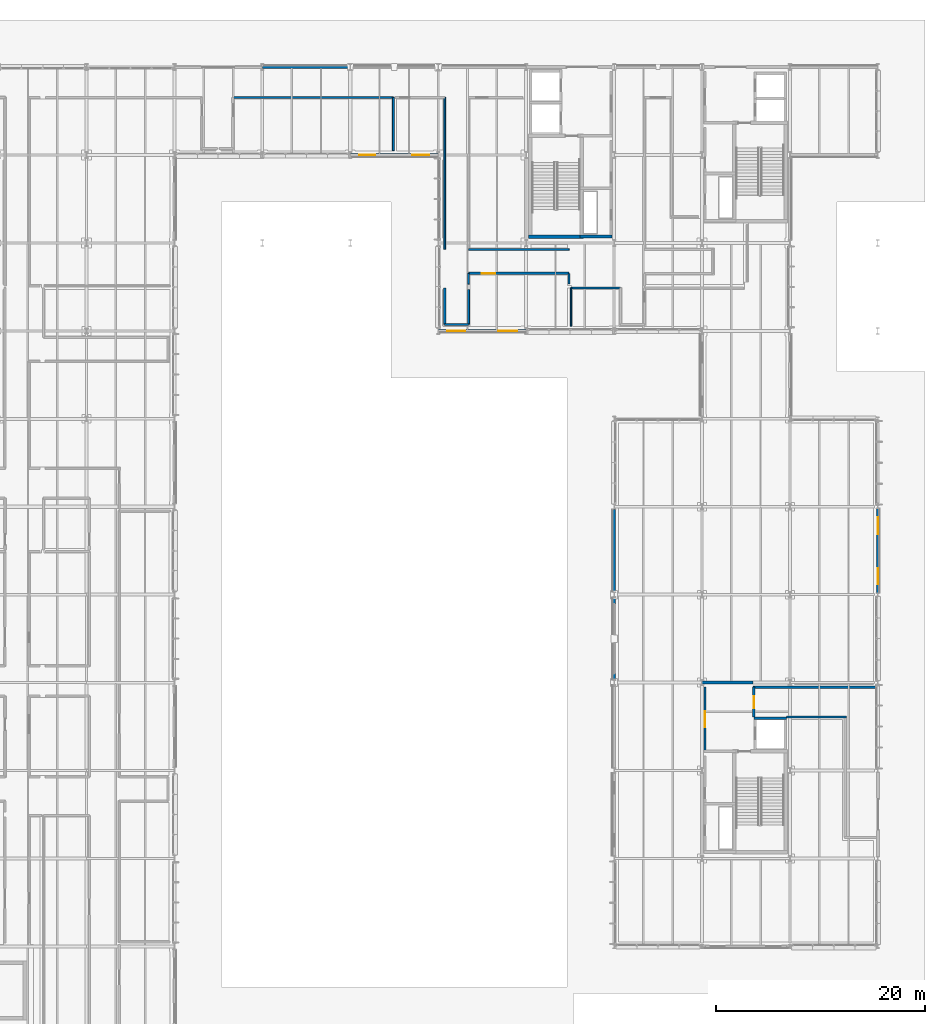
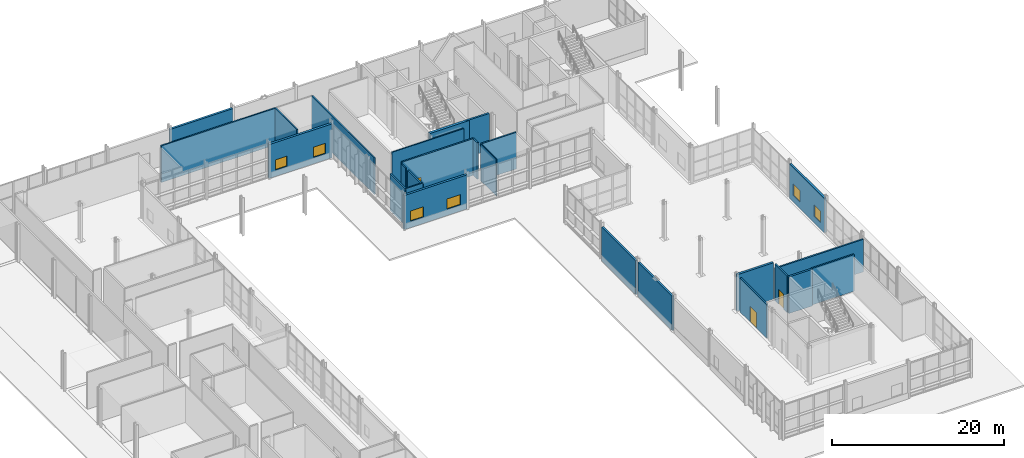
# One storey, part 93 of 124: 26 walls, 6 windows, 3 doors, 9 openings.
"""IFC4 building model written with IfcOpenShell, lengths in metres."""

from ifc_helpers import new_model, si_unit, direction, frame, frame_2d, origin, place, context, subcontext, project, spatial, rectangle, extrude, material, layer, layer_set, type_object, element, fill, save


model = new_model("IFC4")

# Units and contexts
model_context = context("Model", 3, precision=1e-05, world=origin(), true_north=direction((0.0, 1.0)))
body_context = subcontext(model_context, "Body", "Model", "MODEL_VIEW")
ifc_project = project(units=[si_unit("LENGTHUNIT", "METRE"), si_unit("AREAUNIT", "SQUARE_METRE"), si_unit("VOLUMEUNIT", "CUBIC_METRE"), si_unit("PLANEANGLEUNIT", "RADIAN"), si_unit("MASSUNIT", "GRAM", prefix="KILO")], contexts=[model_context])

# Site, building, storey
site_placement = place(None, origin())
site = spatial("IfcSite", under=ifc_project, at=site_placement, CompositionType="ELEMENT")
building_placement = place(site_placement, origin())
building = spatial("IfcBuilding", under=site, at=building_placement, Name="Mersafa Astral City Hall", CompositionType="ELEMENT")
storey_placement = place(building_placement, origin())
storey = spatial("IfcBuildingStorey", under=building, at=storey_placement, Name="L00", CompositionType="ELEMENT", Elevation=0.0)

# Walls
ifc_material_1 = material(Name="Precast concrete C40/50 insulated terracotta spandrel", Category="masonry")
ifc_layer_1 = layer(ifc_material_1, 0.25, Name="Precast concrete C40/50 insulated terracotta spandrel")
ifc_layer_set_1 = layer_set([ifc_layer_1], Name="Precast concrete C40/50 insulated terracotta spandrel — ENV-WAL-EXT-250")
wall_type_1 = type_object("IfcWallType", Name="ENV-WAL-EXT-250", PredefinedType="STANDARD", material=ifc_layer_set_1)
wall_1_placement = place(storey_placement, frame((159.60009765625, 75.35400390625, 0.0), z_axis=(0.0, 0.0, 1.0), x_axis=(0.0, -1.0, 0.0)))
element("IfcWall", 1, at=wall_1_placement, inside=storey, type_object=wall_type_1, Name="L00 Limestone-clad exterior wall 28", PredefinedType="STANDARD", context=body_context, shape_type="SweptSolid", body=[
    extrude(rectangle(XDim=7.907958984375, YDim=0.25, at=frame_2d((3.9541015625, 0.0))), origin(), (0.0, 0.0, 1.0), 4.886962890625),
])
ifc_material_2 = material(Name="Precast concrete C40/50 insulated limestone wall", Category="masonry")
ifc_layer_2 = layer(ifc_material_2, 0.264892578125, Name="Precast concrete C40/50 insulated limestone wall")
ifc_layer_set_2 = layer_set([ifc_layer_2], Name="Precast concrete C40/50 insulated limestone wall — ENV-WAL-EXT-265")
wall_type_2 = type_object("IfcWallType", Name="ENV-WAL-EXT-265", PredefinedType="STANDARD", material=ifc_layer_set_2)
wall_2_placement = place(storey_placement, frame((159.60009765625, 83.75390625, 0.0), z_axis=(0.0, 0.0, 1.0), x_axis=(0.0, -1.0, 0.0)))
element("IfcWall", 2, at=wall_2_placement, inside=storey, type_object=wall_type_2, Name="L00 Limestone-clad exterior wall 27", PredefinedType="STANDARD", context=body_context, shape_type="SweptSolid", body=[
    extrude(rectangle(XDim=7.907958984375, YDim=0.264892578125, at=frame_2d((3.9541015625, 0.0))), origin(), (0.0, 0.0, 1.0), 4.797119140625),
])

# Wall, openings, windows
wall_3_placement = place(storey_placement, frame((184.800048828125, 75.76611328125, 0.0), z_axis=(0.0, 0.0, 1.0), x_axis=(0.0, 1.0, 0.0)))
wall_3 = element("IfcWall", 3, at=wall_3_placement, inside=storey, type_object=wall_type_2, Name="L00 Limestone-clad exterior wall 33", PredefinedType="STANDARD", context=body_context, shape_type="SweptSolid", body=[
    extrude(rectangle(XDim=8.057861328125, YDim=0.264892578125, at=frame_2d((4.02880859375, 0.0))), origin(), (0.0, 0.0, 1.0), 4.886962890625),
])
opening_1_placement = place(wall_3_placement, frame((0.85009765625, 0.0, 0.89990234375)))
opening_1 = element("IfcOpeningElement", 4, at=opening_1_placement, cuts=wall_3, Name="Opening W-36", PredefinedType="OPENING", context=body_context, shape_type="SweptSolid", body=[
    extrude(rectangle(XDim=1.52001953125, YDim=1.64990234375, at=frame_2d((0.760009765625, 0.824951171875))), frame((0.0, 0.142333984375, 0.0), z_axis=(0.0, -1.0, 0.0), x_axis=(1.0, 0.0, 0.0)), (0.0, 0.0, 1.0), 0.284912109375),
])
opening_2_placement = place(wall_3_placement, frame((5.587890625, 0.0, 0.89990234375)))
opening_2 = element("IfcOpeningElement", 5, at=opening_2_placement, cuts=wall_3, Name="Opening W-37", PredefinedType="OPENING", context=body_context, shape_type="SweptSolid", body=[
    extrude(rectangle(XDim=1.6201171875, YDim=1.64990234375, at=frame_2d((0.81005859375, 0.824951171875))), frame((0.0, 0.142333984375, 0.0), z_axis=(0.0, -1.0, 0.0), x_axis=(1.0, 0.0, 0.0)), (0.0, 0.0, 1.0), 0.284912109375),
])
ifc_material_3 = material(Name="Solar control low-e double glazing in bronze frame", Category="glass")
window_type_1 = type_object("IfcWindowType", Name="ENV-WIN-W-36", PartitioningType="SINGLE_PANEL", PredefinedType="WINDOW", material=ifc_material_3)
window_1_placement = place(opening_1_placement, origin())
window_1 = element("IfcWindow", 6, at=window_1_placement, inside=storey, type_object=window_type_1, Name="L00 Solar punched window 33-L", OverallHeight=1.64990234375, OverallWidth=1.52001953125, PartitioningType="SINGLE_PANEL", PredefinedType="WINDOW", context=body_context, shape_type="SweptSolid", body=[
    extrude(rectangle(XDim=1.52001953125, YDim=1.64990234375, at=frame_2d((0.760009765625, 0.824951171875))), frame((0.0, 0.030029296875, 0.0), z_axis=(0.0, -1.0, 0.0), x_axis=(1.0, 0.0, 0.0)), (0.0, 0.0, 1.0), 0.06005859375),
])
fill(opening_1, window_1)
window_type_2 = type_object("IfcWindowType", Name="ENV-WIN-W-37", PartitioningType="SINGLE_PANEL", PredefinedType="WINDOW", material=ifc_material_3)
window_2_placement = place(opening_2_placement, origin())
window_2 = element("IfcWindow", 7, at=window_2_placement, inside=storey, type_object=window_type_2, Name="L00 Solar punched window 33-R", OverallHeight=1.64990234375, OverallWidth=1.6201171875, PartitioningType="SINGLE_PANEL", PredefinedType="WINDOW", context=body_context, shape_type="SweptSolid", body=[
    extrude(rectangle(XDim=1.6201171875, YDim=1.64990234375, at=frame_2d((0.81005859375, 0.824951171875))), frame((0.0, 0.030029296875, 0.0), z_axis=(0.0, -1.0, 0.0), x_axis=(1.0, 0.0, 0.0)), (0.0, 0.0, 1.0), 0.06005859375),
])
fill(opening_2, window_2)

ifc_layer_3 = layer(ifc_material_2, 0.294921875, Name="Precast concrete C40/50 insulated limestone wall")
ifc_layer_set_3 = layer_set([ifc_layer_3], Name="Precast concrete C40/50 insulated limestone wall — ENV-WAL-EXT-295")
wall_type_3 = type_object("IfcWallType", Name="ENV-WAL-EXT-295", PredefinedType="STANDARD", material=ifc_layer_set_3)
wall_4_placement = place(storey_placement, frame((142.80810546875, 100.800048828125, 0.0), z_axis=(0.0, 0.0, 1.0), x_axis=(1.0, 0.0, 0.0)))
wall_4 = element("IfcWall", 8, at=wall_4_placement, inside=storey, type_object=wall_type_3, Name="L00 Limestone-clad exterior wall 25", PredefinedType="STANDARD", context=body_context, shape_type="SweptSolid", body=[
    extrude(rectangle(XDim=8.3837890625, YDim=0.294921875, at=frame_2d((4.19189453125, 0.0))), origin(), (0.0, 0.0, 1.0), 4.826904296875),
])
opening_3_placement = place(wall_4_placement, frame((0.85009765625, 0.0, 0.89990234375)))
opening_3 = element("IfcOpeningElement", 9, at=opening_3_placement, cuts=wall_4, Name="Opening W-28", PredefinedType="OPENING", context=body_context, shape_type="SweptSolid", body=[
    extrude(rectangle(XDim=1.719970703125, YDim=1.449951171875, at=frame_2d((0.85986328125, 0.72509765625))), frame((0.0, 0.157470703125, 0.0), z_axis=(0.0, -1.0, 0.0), x_axis=(1.0, 0.0, 0.0)), (0.0, 0.0, 1.0), 0.31494140625),
])
opening_4_placement = place(wall_4_placement, frame((5.714111328125, 0.0, 0.89990234375)))
opening_4 = element("IfcOpeningElement", 10, at=opening_4_placement, cuts=wall_4, Name="Opening W-29", PredefinedType="OPENING", context=body_context, shape_type="SweptSolid", body=[
    extrude(rectangle(XDim=1.820068359375, YDim=1.449951171875, at=frame_2d((0.91015625, 0.72509765625))), frame((0.0, 0.157470703125, 0.0), z_axis=(0.0, -1.0, 0.0), x_axis=(1.0, 0.0, 0.0)), (0.0, 0.0, 1.0), 0.31494140625),
])
window_type_3 = type_object("IfcWindowType", Name="ENV-WIN-W-28", PartitioningType="SINGLE_PANEL", PredefinedType="WINDOW", material=ifc_material_3)
window_3_placement = place(opening_3_placement, origin())
window_3 = element("IfcWindow", 11, at=window_3_placement, inside=storey, type_object=window_type_3, Name="L00 Solar punched window 25-L", OverallHeight=1.449951171875, OverallWidth=1.719970703125, PartitioningType="SINGLE_PANEL", PredefinedType="WINDOW", context=body_context, shape_type="SweptSolid", body=[
    extrude(rectangle(XDim=1.719970703125, YDim=1.449951171875, at=frame_2d((0.85986328125, 0.72509765625))), frame((0.0, 0.030029296875, 0.0), z_axis=(0.0, -1.0, 0.0), x_axis=(1.0, 0.0, 0.0)), (0.0, 0.0, 1.0), 0.06005859375),
])
fill(opening_3, window_3)
window_type_4 = type_object("IfcWindowType", Name="ENV-WIN-W-29", PartitioningType="SINGLE_PANEL", PredefinedType="WINDOW", material=ifc_material_3)
window_4_placement = place(opening_4_placement, origin())
window_4 = element("IfcWindow", 12, at=window_4_placement, inside=storey, type_object=window_type_4, Name="L00 Solar punched window 25-R", OverallHeight=1.449951171875, OverallWidth=1.820068359375, PartitioningType="SINGLE_PANEL", PredefinedType="WINDOW", context=body_context, shape_type="SweptSolid", body=[
    extrude(rectangle(XDim=1.820068359375, YDim=1.449951171875, at=frame_2d((0.91015625, 0.72509765625))), frame((0.0, 0.030029296875, 0.0), z_axis=(0.0, -1.0, 0.0), x_axis=(1.0, 0.0, 0.0)), (0.0, 0.0, 1.0), 0.06005859375),
])
fill(opening_4, window_4)

# Wall
wall_5_placement = place(storey_placement, frame((134.39208984375, 126.0, 0.0), z_axis=(0.0, 0.0, 1.0), x_axis=(-1.0, 0.0, 0.0)))
element("IfcWall", 13, at=wall_5_placement, inside=storey, type_object=wall_type_3, Name="L00 Limestone-clad exterior wall 43", PredefinedType="STANDARD", context=body_context, shape_type="SweptSolid", body=[
    extrude(rectangle(XDim=8.384033203125, YDim=0.294921875, at=frame_2d((4.19189453125, 0.0))), origin(), (0.0, 0.0, 1.0), 4.797119140625),
])

# Wall, openings, windows
ifc_layer_4 = layer(ifc_material_2, 0.31005859375, Name="Precast concrete C40/50 insulated limestone wall")
ifc_layer_set_4 = layer_set([ifc_layer_4], Name="Precast concrete C40/50 insulated limestone wall — ENV-WAL-EXT-310")
wall_type_4 = type_object("IfcWallType", Name="ENV-WAL-EXT-310", PredefinedType="STANDARD", material=ifc_layer_set_4)
wall_6_placement = place(storey_placement, frame((134.407958984375, 117.60009765625, 0.0), z_axis=(0.0, 0.0, 1.0), x_axis=(1.0, 0.0, 0.0)))
wall_6 = element("IfcWall", 14, at=wall_6_placement, inside=storey, type_object=wall_type_4, Name="L00 Limestone-clad exterior wall 24", PredefinedType="STANDARD", context=body_context, shape_type="SweptSolid", body=[
    extrude(rectangle(XDim=8.384033203125, YDim=0.31005859375, at=frame_2d((4.19189453125, 0.0))), origin(), (0.0, 0.0, 1.0), 4.797119140625),
])
opening_5_placement = place(wall_6_placement, frame((0.85009765625, 0.0, 0.89990234375)))
opening_5 = element("IfcOpeningElement", 15, at=opening_5_placement, cuts=wall_6, Name="Opening W-26", PredefinedType="OPENING", context=body_context, shape_type="SweptSolid", body=[
    extrude(rectangle(XDim=1.52001953125, YDim=1.449951171875, at=frame_2d((0.760009765625, 0.72509765625))), frame((0.0, 0.1650390625, 0.0), z_axis=(0.0, -1.0, 0.0), x_axis=(1.0, 0.0, 0.0)), (0.0, 0.0, 1.0), 0.330078125),
])
opening_6_placement = place(wall_6_placement, frame((5.9140625, 0.0, 0.89990234375)))
opening_6 = element("IfcOpeningElement", 16, at=opening_6_placement, cuts=wall_6, Name="Opening W-27", PredefinedType="OPENING", context=body_context, shape_type="SweptSolid", body=[
    extrude(rectangle(XDim=1.6201171875, YDim=1.449951171875, at=frame_2d((0.81005859375, 0.72509765625))), frame((0.0, 0.1650390625, 0.0), z_axis=(0.0, -1.0, 0.0), x_axis=(1.0, 0.0, 0.0)), (0.0, 0.0, 1.0), 0.330078125),
])
window_type_5 = type_object("IfcWindowType", Name="ENV-WIN-W-26", PartitioningType="SINGLE_PANEL", PredefinedType="WINDOW", material=ifc_material_3)
window_5_placement = place(opening_5_placement, origin())
window_5 = element("IfcWindow", 17, at=window_5_placement, inside=storey, type_object=window_type_5, Name="L00 Solar punched window 24-L", OverallHeight=1.449951171875, OverallWidth=1.52001953125, PartitioningType="SINGLE_PANEL", PredefinedType="WINDOW", context=body_context, shape_type="SweptSolid", body=[
    extrude(rectangle(XDim=1.52001953125, YDim=1.449951171875, at=frame_2d((0.760009765625, 0.72509765625))), frame((0.0, 0.030029296875, 0.0), z_axis=(0.0, -1.0, 0.0), x_axis=(1.0, 0.0, 0.0)), (0.0, 0.0, 1.0), 0.06005859375),
])
fill(opening_5, window_5)
window_type_6 = type_object("IfcWindowType", Name="ENV-WIN-W-27", PartitioningType="SINGLE_PANEL", PredefinedType="WINDOW", material=ifc_material_3)
window_6_placement = place(opening_6_placement, origin())
window_6 = element("IfcWindow", 18, at=window_6_placement, inside=storey, type_object=window_type_6, Name="L00 Solar punched window 24-R", OverallHeight=1.449951171875, OverallWidth=1.6201171875, PartitioningType="SINGLE_PANEL", PredefinedType="WINDOW", context=body_context, shape_type="SweptSolid", body=[
    extrude(rectangle(XDim=1.6201171875, YDim=1.449951171875, at=frame_2d((0.81005859375, 0.72509765625))), frame((0.0, 0.030029296875, 0.0), z_axis=(0.0, -1.0, 0.0), x_axis=(1.0, 0.0, 0.0)), (0.0, 0.0, 1.0), 0.06005859375),
])
fill(opening_6, window_6)

# Walls
ifc_material_4 = material(Name="Concrete C40/50", Category="concrete")
ifc_layer_5 = layer(ifc_material_4, 0.260009765625, Name="Concrete C40/50")
ifc_layer_set_5 = layer_set([ifc_layer_5], Name="Concrete C40/50 — INT-WAL-CORE-260")
wall_type_5 = type_object("IfcWallType", Name="INT-WAL-CORE-260", PredefinedType="SHEAR", material=ifc_layer_set_5)
wall_7_placement = place(storey_placement, frame((156.364990234375, 109.820068359375, 0.0), z_axis=(0.0, 0.0, 1.0), x_axis=(1.0, 0.0, 0.0)))
element("IfcWall", 19, at=wall_7_placement, inside=storey, type_object=wall_type_5, Name="L00 Core K1 riser south wall", PredefinedType="SHEAR", context=body_context, shape_type="SweptSolid", body=[
    extrude(rectangle(XDim=3.034912109375, YDim=0.260009765625, at=frame_2d((1.517578125, 0.0))), origin(), (0.0, 0.0, 1.0), 5.175048828125),
])
wall_8_placement = place(storey_placement, frame((172.955078125, 63.784912109375, 0.0), z_axis=(0.0, 0.0, 1.0), x_axis=(1.0, 0.0, 0.0)))
element("IfcWall", 20, at=wall_8_placement, inside=storey, type_object=wall_type_5, Name="L00 Lift LF6 north shaft wall", PredefinedType="SHEAR", context=body_context, shape_type="SweptSolid", body=[
    extrude(rectangle(XDim=3.1298828125, YDim=0.260009765625, at=frame_2d((1.56494140625, 0.0))), origin(), (0.0, 0.0, 1.0), 5.175048828125),
])
ifc_layer_6 = layer(ifc_material_4, 0.300048828125, Name="Concrete C40/50")
ifc_layer_set_6 = layer_set([ifc_layer_6], Name="Concrete C40/50 — INT-WAL-CORE-300")
wall_type_6 = type_object("IfcWallType", Name="INT-WAL-CORE-300", PredefinedType="SHEAR", material=ifc_layer_set_6)
wall_9_placement = place(storey_placement, frame((167.97998046875, 67.2099609375, 0.0), z_axis=(0.0, 0.0, 1.0), x_axis=(1.0, 0.0, 0.0)))
element("IfcWall", 21, at=wall_9_placement, inside=storey, type_object=wall_type_6, Name="L00 Core K4 lobby north shear wall", PredefinedType="SHEAR", context=body_context, shape_type="SweptSolid", body=[
    extrude(rectangle(XDim=4.8701171875, YDim=0.300048828125, at=frame_2d((2.43505859375, 0.0))), origin(), (0.0, 0.0, 1.0), 5.175048828125),
])
ifc_layer_7 = layer(ifc_material_4, 0.340087890625, Name="Concrete C40/50")
ifc_layer_set_7 = layer_set([ifc_layer_7], Name="Concrete C40/50 — INT-WAL-CORE-340")
wall_type_7 = type_object("IfcWallType", Name="INT-WAL-CORE-340", PredefinedType="SHEAR", material=ifc_layer_set_7)
wall_10_placement = place(storey_placement, frame((151.43505859375, 109.77490234375, 0.0), z_axis=(0.0, 0.0, 1.0), x_axis=(1.0, 0.0, 0.0)))
element("IfcWall", 22, at=wall_10_placement, inside=storey, type_object=wall_type_7, Name="L00 Core K1 stair south shear wall", PredefinedType="SHEAR", context=body_context, shape_type="SweptSolid", body=[
    extrude(rectangle(XDim=5.25, YDim=0.340087890625, at=frame_2d((2.625, 0.0))), origin(), (0.0, 0.0, 1.0), 5.175048828125),
])
ifc_material_5 = material(Name="Acoustic steel-stud gypsum partition", Category="steel")
ifc_layer_8 = layer(ifc_material_5, 0.1201171875, Name="Acoustic steel-stud gypsum partition")
ifc_layer_set_8 = layer_set([ifc_layer_8], Name="Acoustic steel-stud gypsum partition — INT-WAL-PART-EI30-120")
wall_type_8 = type_object("IfcWallType", Name="INT-WAL-PART-EI30-120", PredefinedType="STANDARD", material=ifc_layer_set_8)
wall_11_placement = place(storey_placement, frame((155.489990234375, 101.219970703125, -0.00390625), z_axis=(0.0, 0.0, 1.0), x_axis=(0.0, 1.0, 0.0)))
element("IfcWall", 23, at=wall_11_placement, inside=storey, type_object=wall_type_8, Name="L00 Interior partition wall 116", PredefinedType="STANDARD", context=body_context, shape_type="SweptSolid", body=[
    extrude(rectangle(XDim=3.68994140625, YDim=0.1201171875, at=frame_2d((1.844970703125, 0.0))), origin(), (0.0, 0.0, 1.0), 5.178955078125),
])
ifc_material_6 = material(Name="Fire-rated gypsum stud partition", Category="gypsum")
ifc_layer_9 = layer(ifc_material_6, 0.1650390625, Name="Fire-rated gypsum stud partition")
ifc_layer_set_9 = layer_set([ifc_layer_9], Name="Fire-rated gypsum stud partition — INT-WAL-PART-EI60-165")
wall_type_9 = type_object("IfcWallType", Name="INT-WAL-PART-EI60-165", PredefinedType="STANDARD", material=ifc_layer_set_9)
wall_12_placement = place(storey_placement, frame((155.31005859375, 108.580078125, -0.00390625), z_axis=(0.0, 0.0, 1.0), x_axis=(-1.0, 0.0, 0.0)))
element("IfcWall", 24, at=wall_12_placement, inside=storey, type_object=wall_type_9, Name="L00 Interior partition wall 183", PredefinedType="STANDARD", context=body_context, shape_type="SweptSolid", body=[
    extrude(rectangle(XDim=9.610107421875, YDim=0.1650390625, at=frame_2d((4.80517578125, 0.0))), origin(), (0.0, 0.0, 1.0), 5.178955078125),
])
wall_13_placement = place(storey_placement, frame((145.699951171875, 105.260009765625, -0.00390625), z_axis=(0.0, 0.0, 1.0), x_axis=(0.0, 1.0, 0.0)))
element("IfcWall", 25, at=wall_13_placement, inside=storey, type_object=wall_type_9, Name="L00 Interior partition wall 231", PredefinedType="STANDARD", context=body_context, shape_type="SweptSolid", body=[
    extrude(rectangle(XDim=1.0400390625, YDim=0.1650390625, at=frame_2d((0.52001953125, 0.0))), origin(), (0.0, 0.0, 1.0), 4.94091796875),
])
ifc_material_7 = material(Name="Acoustic twin-stud gypsum partition", Category="gypsum")
ifc_layer_10 = layer(ifc_material_7, 0.179931640625, Name="Acoustic twin-stud gypsum partition")
ifc_layer_set_10 = layer_set([ifc_layer_10], Name="Acoustic twin-stud gypsum partition — INT-WAL-PART-EI60-180")
wall_type_10 = type_object("IfcWallType", Name="INT-WAL-PART-EI60-180", PredefinedType="STANDARD", material=ifc_layer_set_10)
wall_14_placement = place(storey_placement, frame((138.510009765625, 123.10009765625, -0.00390625), z_axis=(0.0, 0.0, 1.0), x_axis=(0.0, -1.0, 0.0)))
element("IfcWall", 26, at=wall_14_placement, inside=storey, type_object=wall_type_10, Name="L00 Interior partition wall 186", PredefinedType="STANDARD", context=body_context, shape_type="SweptSolid", body=[
    extrude(rectangle(XDim=5.080078125, YDim=0.179931640625, at=frame_2d((2.5400390625, 0.0))), origin(), (0.0, 0.0, 1.0), 5.178955078125),
])
wall_15_placement = place(storey_placement, frame((145.699951171875, 101.419921875, -0.00390625), z_axis=(0.0, 0.0, 1.0), x_axis=(0.0, 1.0, 0.0)))
element("IfcWall", 27, at=wall_15_placement, inside=storey, type_object=wall_type_10, Name="L00 Interior partition wall 230", PredefinedType="STANDARD", context=body_context, shape_type="SweptSolid", body=[
    extrude(rectangle(XDim=3.320068359375, YDim=0.179931640625, at=frame_2d((1.66015625, 0.0))), origin(), (0.0, 0.0, 1.0), 4.94091796875),
])
wall_16_placement = place(storey_placement, frame((143.419921875, 123.10009765625, -0.00390625), z_axis=(0.0, 0.0, 1.0), x_axis=(0.0, -1.0, 0.0)))
element("IfcWall", 28, at=wall_16_placement, inside=storey, type_object=wall_type_10, Name="L00 Interior partition wall 246", PredefinedType="STANDARD", context=body_context, shape_type="SweptSolid", body=[
    extrude(rectangle(XDim=14.52001953125, YDim=0.179931640625, at=frame_2d((7.260009765625, 0.0))), origin(), (0.0, 0.0, 1.0), 5.178955078125),
])
ifc_layer_11 = layer(ifc_material_7, 0.195068359375, Name="Acoustic twin-stud gypsum partition")
ifc_layer_set_11 = layer_set([ifc_layer_11], Name="Acoustic twin-stud gypsum partition — INT-WAL-PART-EI60-195")
wall_type_11 = type_object("IfcWallType", Name="INT-WAL-PART-EI60-195", PredefinedType="STANDARD", material=ifc_layer_set_11)
wall_17_placement = place(storey_placement, frame((155.489990234375, 104.909912109375, -0.00390625), z_axis=(0.0, 0.0, 1.0), x_axis=(1.0, 0.0, 0.0)))
element("IfcWall", 29, at=wall_17_placement, inside=storey, type_object=wall_type_11, Name="L00 Interior partition wall 117", PredefinedType="STANDARD", context=body_context, shape_type="SweptSolid", body=[
    extrude(rectangle(XDim=4.72998046875, YDim=0.195068359375, at=frame_2d((2.364990234375, 0.0))), origin(), (0.0, 0.0, 1.0), 5.178955078125),
])
wall_18_placement = place(storey_placement, frame((123.179931640625, 123.10009765625, -0.00390625), z_axis=(0.0, 0.0, 1.0), x_axis=(1.0, 0.0, 0.0)))
element("IfcWall", 30, at=wall_18_placement, inside=storey, type_object=wall_type_11, Name="L00 Interior partition wall 185", PredefinedType="STANDARD", context=body_context, shape_type="SweptSolid", body=[
    extrude(rectangle(XDim=15.330078125, YDim=0.195068359375, at=frame_2d((7.6650390625, 0.0))), origin(), (0.0, 0.0, 1.0), 5.178955078125),
])
wall_19_placement = place(storey_placement, frame((143.419921875, 101.419921875, -0.00390625), z_axis=(0.0, 0.0, 1.0), x_axis=(1.0, 0.0, 0.0)))
element("IfcWall", 31, at=wall_19_placement, inside=storey, type_object=wall_type_11, Name="L00 Interior partition wall 229", PredefinedType="STANDARD", context=body_context, shape_type="SweptSolid", body=[
    extrude(rectangle(XDim=2.280029296875, YDim=0.195068359375, at=frame_2d((1.14013671875, 0.0))), origin(), (0.0, 0.0, 1.0), 5.178955078125),
])
wall_20_placement = place(storey_placement, frame((155.31005859375, 106.300048828125, -0.00390625), z_axis=(0.0, 0.0, 1.0), x_axis=(0.0, -1.0, 0.0)))
element("IfcWall", 32, at=wall_20_placement, inside=storey, type_object=wall_type_11, Name="L00 Interior partition wall 233", PredefinedType="STANDARD", context=body_context, shape_type="SweptSolid", body=[
    extrude(rectangle(XDim=1.0400390625, YDim=0.195068359375, at=frame_2d((0.52001953125, 0.0))), origin(), (0.0, 0.0, 1.0), 5.178955078125),
])

# Wall, opening, door
ifc_material_8 = material(Name="Autoclaved aerated concrete blockwork plastered", Category="masonry")
ifc_layer_12 = layer(ifc_material_8, 0.2099609375, Name="Autoclaved aerated concrete blockwork plastered")
ifc_layer_set_12 = layer_set([ifc_layer_12], Name="Autoclaved aerated concrete blockwork plastered — INT-WAL-PART-EI60-210")
wall_type_12 = type_object("IfcWallType", Name="INT-WAL-PART-EI60-210", PredefinedType="STANDARD", material=ifc_layer_set_12)
wall_21_placement = place(storey_placement, frame((168.300048828125, 60.639892578125, 0.0), z_axis=(0.0, 0.0, 1.0), x_axis=(0.0, 1.0, 0.0)))
wall_21 = element("IfcWall", 33, at=wall_21_placement, inside=storey, type_object=wall_type_12, Name="L00 Core K4 lobby corridor partition", PredefinedType="STANDARD", context=body_context, shape_type="SweptSolid", body=[
    extrude(rectangle(XDim=6.1201171875, YDim=0.2099609375, at=frame_2d((3.06005859375, 0.0))), origin(), (0.0, 0.0, 1.0), 4.846923828125),
])
opening_7_placement = place(wall_21_placement, frame((2.31005859375, 0.0, 0.0)))
opening_7 = element("IfcOpeningElement", 34, at=opening_7_placement, cuts=wall_21, Name="Opening CD-3", PredefinedType="OPENING", context=body_context, shape_type="SweptSolid", body=[
    extrude(rectangle(XDim=1.5, YDim=2.199951171875, at=frame_2d((0.75, 1.10009765625))), frame((0.0, 0.114990234375, 0.0), z_axis=(0.0, -1.0, 0.0), x_axis=(1.0, 0.0, 0.0)), (0.0, 0.0, 1.0), 0.22998046875),
])
ifc_material_9 = material(Name="Fire-rated glazed lobby door pair", Category="metal")
door_type_1 = type_object("IfcDoorType", Name="INT-DR-LOBBY-FD90-1500", OperationType="NOTDEFINED", PredefinedType="DOOR", material=ifc_material_9)
door_1_placement = place(opening_7_placement, origin())
door_1 = element("IfcDoor", 35, at=door_1_placement, inside=storey, type_object=door_type_1, Name="L00 K4 Lift Lobby Fire Door", OperationType="DOUBLE_DOOR_SINGLE_SWING", OverallHeight=2.199951171875, OverallWidth=1.5, PredefinedType="DOOR", context=body_context, shape_type="SweptSolid", body=[
    extrude(rectangle(XDim=1.5, YDim=2.199951171875, at=frame_2d((0.75, 1.10009765625))), frame((0.0, 0.02490234375, 0.0), z_axis=(0.0, -1.0, 0.0), x_axis=(1.0, 0.0, 0.0)), (0.0, 0.0, 1.0), 0.050048828125),
])
fill(opening_7, door_1)

wall_22_placement = place(storey_placement, frame((172.949951171875, 66.760009765625, 0.0), z_axis=(0.0, 0.0, 1.0), x_axis=(0.0, -1.0, 0.0)))
wall_22 = element("IfcWall", 36, at=wall_22_placement, inside=storey, type_object=wall_type_12, Name="L00 K4 exit passageway west fire partition", PredefinedType="STANDARD", context=body_context, shape_type="SweptSolid", body=[
    extrude(rectangle(XDim=2.840087890625, YDim=0.2099609375, at=frame_2d((1.419921875, 0.0))), origin(), (0.0, 0.0, 1.0), 5.175048828125),
])
opening_8_placement = place(wall_22_placement, frame((0.844970703125, 0.0, 0.0)))
opening_8 = element("IfcOpeningElement", 37, at=opening_8_placement, cuts=wall_22, Name="Opening CD-1", PredefinedType="OPENING", context=body_context, shape_type="SweptSolid", body=[
    extrude(rectangle(XDim=1.14990234375, YDim=2.14990234375, at=frame_2d((0.574951171875, 1.074951171875))), frame((0.0, 0.114990234375, 0.0), z_axis=(0.0, -1.0, 0.0), x_axis=(1.0, 0.0, 0.0)), (0.0, 0.0, 1.0), 0.22998046875),
])
ifc_material_10 = material(Name="Fire-rated steel stair door", Category="steel")
door_type_2 = type_object("IfcDoorType", Name="INT-DR-STAIR-FD90-1150", OperationType="NOTDEFINED", PredefinedType="DOOR", material=ifc_material_10)
door_2_placement = place(opening_8_placement, origin())
door_2 = element("IfcDoor", 38, at=door_2_placement, inside=storey, type_object=door_type_2, Name="L00 K4 Protected Exit Passageway Fire Door", OperationType="SINGLE_SWING_LEFT", OverallHeight=2.14990234375, OverallWidth=1.14990234375, PredefinedType="DOOR", context=body_context, shape_type="SweptSolid", body=[
    extrude(rectangle(XDim=1.14990234375, YDim=2.14990234375, at=frame_2d((0.574951171875, 1.074951171875))), frame((0.0, 0.02490234375, 0.0), z_axis=(0.0, -1.0, 0.0), x_axis=(1.0, 0.0, 0.0)), (0.0, 0.0, 1.0), 0.050048828125),
])
fill(opening_8, door_2)

# Walls
wall_23_placement = place(storey_placement, frame((172.85009765625, 66.760009765625, 0.0), z_axis=(0.0, 0.0, 1.0), x_axis=(1.0, 0.0, 0.0)))
element("IfcWall", 39, at=wall_23_placement, inside=storey, type_object=wall_type_12, Name="L00 K4 exit passageway north fire partition", PredefinedType="STANDARD", context=body_context, shape_type="SweptSolid", body=[
    extrude(rectangle(XDim=11.7998046875, YDim=0.2099609375, at=frame_2d((5.89990234375, 0.0))), origin(), (0.0, 0.0, 1.0), 4.60693359375),
])
wall_24_placement = place(storey_placement, frame((176.080078125, 63.919921875, 0.0), z_axis=(0.0, 0.0, 1.0), x_axis=(1.0, 0.0, 0.0)))
element("IfcWall", 40, at=wall_24_placement, inside=storey, type_object=wall_type_12, Name="L00 K4 exit passageway upper south fire partition", PredefinedType="STANDARD", context=body_context, shape_type="SweptSolid", body=[
    extrude(rectangle(XDim=5.719970703125, YDim=0.2099609375, at=frame_2d((2.85986328125, 0.0))), origin(), (0.0, 0.0, 1.0), 5.175048828125),
])
wall_25_placement = place(storey_placement, frame((143.419921875, 104.909912109375, -0.00390625), z_axis=(0.0, 0.0, 1.0), x_axis=(0.0, -1.0, 0.0)))
element("IfcWall", 41, at=wall_25_placement, inside=storey, type_object=wall_type_12, Name="L00 Interior partition wall 228", PredefinedType="STANDARD", context=body_context, shape_type="SweptSolid", body=[
    extrude(rectangle(XDim=3.489990234375, YDim=0.2099609375, at=frame_2d((1.7451171875, 0.0))), origin(), (0.0, 0.0, 1.0), 5.178955078125),
])

# Wall, opening, door
wall_26_placement = place(storey_placement, frame((145.699951171875, 106.300048828125, -0.00390625), z_axis=(0.0, 0.0, 1.0), x_axis=(1.0, 0.0, 0.0)))
wall_26 = element("IfcWall", 42, at=wall_26_placement, inside=storey, type_object=wall_type_12, Name="L00 Interior partition wall 232", PredefinedType="STANDARD", context=body_context, shape_type="SweptSolid", body=[
    extrude(rectangle(XDim=9.610107421875, YDim=0.2099609375, at=frame_2d((4.80517578125, 0.0))), origin(), (0.0, 0.0, 1.0), 5.178955078125),
])
opening_9_placement = place(wall_26_placement, frame((1.281982421875, 0.0, 0.0)))
opening_9 = element("IfcOpeningElement", 43, at=opening_9_placement, cuts=wall_26, Name="Opening D-15", PredefinedType="OPENING", context=body_context, shape_type="SweptSolid", body=[
    extrude(rectangle(XDim=1.280029296875, YDim=2.139892578125, at=frame_2d((0.64013671875, 1.06982421875))), frame((0.0, 0.114990234375, 0.0), z_axis=(0.0, -1.0, 0.0), x_axis=(1.0, 0.0, 0.0)), (0.0, 0.0, 1.0), 0.22998046875),
])
ifc_material_11 = material(Name="Cedar veneered acoustic fire-rated timber door", Category="wood")
door_type_3 = type_object("IfcDoorType", Name="INT-DR-RM-D-15", OperationType="NOTDEFINED", PredefinedType="DOOR", material=ifc_material_11)
door_3_placement = place(opening_9_placement, origin())
door_3 = element("IfcDoor", 44, at=door_3_placement, inside=storey, type_object=door_type_3, Name="L00 Public Cafe L00-25 Entrance Door", OperationType="SINGLE_SWING_LEFT", OverallHeight=2.139892578125, OverallWidth=1.280029296875, PredefinedType="DOOR", context=body_context, shape_type="SweptSolid", body=[
    extrude(rectangle(XDim=1.280029296875, YDim=2.139892578125, at=frame_2d((0.64013671875, 1.06982421875))), frame((0.0, 0.02490234375, 0.0), z_axis=(0.0, -1.0, 0.0), x_axis=(1.0, 0.0, 0.0)), (0.0, 0.0, 1.0), 0.050048828125),
])
fill(opening_9, door_3)

save(model, "model.ifc")
